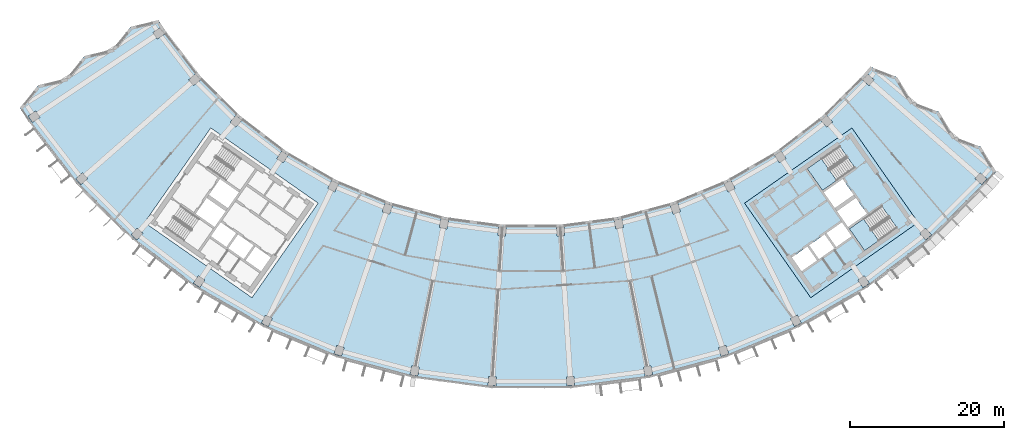
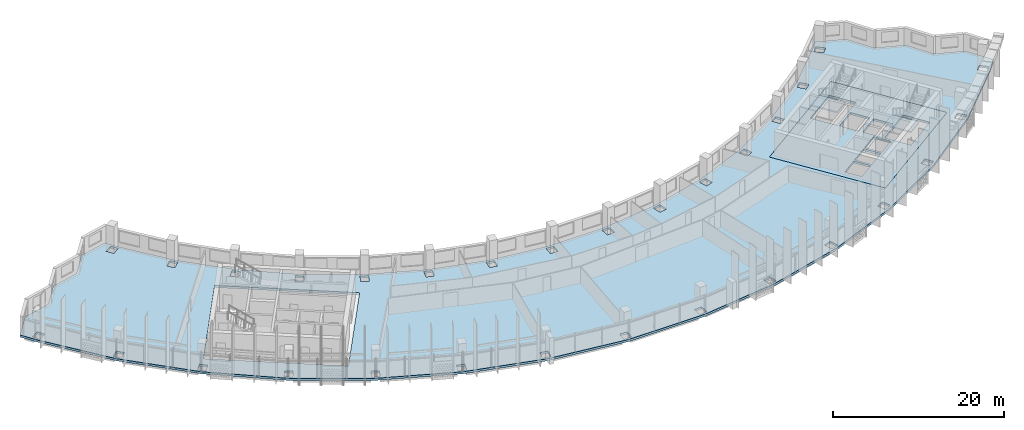
# One storey, part 2 of 27: 4 slabs, 2 elements without a shape of their own.
"""IFC4 building model written with IfcOpenShell, lengths in metres."""

import ifcopenshell
import ifcopenshell.guid

model = None  # the IFC model being written
_history = None  # IfcOwnerHistory: only IFC2X3 demands one
_inside = {}  # id of a spatial element -> (the spatial element, [elements in it])
_under = {}  # id of a project, library or spatial element -> (it, [spatial elements below it])
_declared = {}  # id of a project -> (the project, [libraries it declares])
_typed = {}  # id of a type object -> (the type object, [elements of that type])
_made_of = {}  # id of a material, layer set ... -> (it, [elements and type objects made of it])


def new_model(schema):
    """Start an empty IFC model of exactly this schema.

    Asked for "IFC4X3", IfcOpenShell would pick the latest addendum, in which some entities
    have other attributes; the version numbers below select the first issue.
    IFC2X3 requires an IfcOwnerHistory on every rooted entity: one is made here for all.
    """
    global model, _history
    if schema == "IFC4X3":
        model = ifcopenshell.file(schema_version=(4, 3, 0, 0))
    else:
        model = ifcopenshell.file(schema=schema)
    _inside.clear()
    _under.clear()
    _declared.clear()
    _typed.clear()
    _made_of.clear()
    _history = None
    if model.schema == "IFC2X3":
        org = make("IfcOrganization", Name="unknown")
        user = make(
            "IfcPersonAndOrganization",
            ThePerson=make("IfcPerson", FamilyName="unknown"),
            TheOrganization=org,
        )
        app = make(
            "IfcApplication",
            ApplicationDeveloper=org,
            Version="unknown",
            ApplicationFullName="unknown",
            ApplicationIdentifier="unknown",
        )
        _history = make(
            "IfcOwnerHistory",
            OwningUser=user,
            OwningApplication=app,
            ChangeAction="ADDED",
            CreationDate=0,
        )
    return model


def make(cls, **values):
    """One entity of the class cls with the attributes given. An attribute that is None is left unset."""
    return model.create_entity(
        cls, **{name: value for name, value in values.items() if value is not None}
    )


def rooted(cls, **values):
    """An entity with a GlobalId (a new one), such as an element, a storey or a relation."""
    return make(cls, GlobalId=ifcopenshell.guid.new(), OwnerHistory=_history, **values)


def si_unit(unit_type, name, prefix=None):
    """IfcSIUnit, for example si_unit("LENGTHUNIT", "METRE", prefix="MILLI")."""
    return make("IfcSIUnit", UnitType=unit_type, Prefix=prefix, Name=name)


def assignment(units):
    """IfcUnitAssignment: the units of a project."""
    return None if units is None else make("IfcUnitAssignment", Units=units)


def point(xyz):
    """IfcCartesianPoint."""
    return None if xyz is None else make("IfcCartesianPoint", Coordinates=xyz)


def direction(xyz):
    """IfcDirection."""
    return None if xyz is None else make("IfcDirection", DirectionRatios=xyz)


def frame(location, z_axis=None, x_axis=None):
    """IfcAxis2Placement3D, a coordinate frame: its origin and axes. An axis left out is left unset."""
    return make(
        "IfcAxis2Placement3D",
        Location=point(location),
        Axis=direction(z_axis),
        RefDirection=direction(x_axis),
    )


def origin():
    """The frame at (0, 0, 0) with its axes left unset."""
    return frame((0.0, 0.0, 0.0))


def place(relative_to, where):
    """IfcLocalPlacement: puts the frame where relative to a parent placement (None: the world)."""
    return make(
        "IfcLocalPlacement", PlacementRelTo=relative_to, RelativePlacement=where
    )


def context(
    kind, dimensions, precision=None, world=None, true_north=None, identifier=None
):
    """IfcGeometricRepresentationContext, for example the 3D "Model" context."""
    return make(
        "IfcGeometricRepresentationContext",
        ContextIdentifier=identifier,
        ContextType=kind,
        CoordinateSpaceDimension=dimensions,
        Precision=precision,
        WorldCoordinateSystem=world,
        TrueNorth=true_north,
    )


def subcontext(parent, identifier, kind, view, scale=None):
    """IfcGeometricRepresentationSubContext, for example "Body" below "Model"."""
    return make(
        "IfcGeometricRepresentationSubContext",
        ContextIdentifier=identifier,
        ContextType=kind,
        ParentContext=parent,
        TargetScale=scale,
        TargetView=view,
    )


def project(units=None, contexts=None):
    """IfcProject with its units and contexts."""
    return rooted(
        "IfcProject",
        Name="project",
        RepresentationContexts=contexts,
        UnitsInContext=assignment(units),
    )


def spatial(cls, under=None, at=None, **own):
    """A site, building, storey or space (cls), placed at a placement, below another one or the project."""
    s = rooted(cls, ObjectPlacement=at, **own)
    if under is not None:
        _under.setdefault(under.id(), (under, []))[1].append(s)
    return s


def polyline(points):
    """IfcPolyline through the points."""
    return make("IfcPolyline", Points=[point(p) for p in points])


def outline(outer, holes=None, kind="AREA"):
    """IfcArbitraryClosedProfileDef: a profile drawn as a closed curve; with holes, ...WithVoids."""
    if holes is None:
        return make("IfcArbitraryClosedProfileDef", ProfileType=kind, OuterCurve=outer)
    return make(
        "IfcArbitraryProfileDefWithVoids",
        ProfileType=kind,
        OuterCurve=outer,
        InnerCurves=holes,
    )


def extrude(swept, where, along, depth):
    """IfcExtrudedAreaSolid: the profile swept, set in the frame where, extruded along a direction by depth."""
    return make(
        "IfcExtrudedAreaSolid",
        SweptArea=swept,
        Position=where,
        ExtrudedDirection=direction(along),
        Depth=depth,
    )


def shape(context_of_items, identifier, shape_type, items):
    """IfcShapeRepresentation: the items that make up one representation, for example the "Body"."""
    return make(
        "IfcShapeRepresentation",
        ContextOfItems=context_of_items,
        RepresentationIdentifier=identifier,
        RepresentationType=shape_type,
        Items=items,
    )


def material(Name=None, Category=None):
    """IfcMaterial."""
    return make("IfcMaterial", Name=Name, Category=Category)


def layer(
    of_material, thickness, ventilated=None, Name=None, Category=None, Priority=None
):
    """IfcMaterialLayer: one layer of a wall or slab, of a material (None: an air gap)."""
    return make(
        "IfcMaterialLayer",
        Material=of_material,
        LayerThickness=thickness,
        IsVentilated=ventilated,
        Name=Name,
        Category=Category,
        Priority=Priority,
    )


def layer_set(layers, Name=None):
    """IfcMaterialLayerSet."""
    return make("IfcMaterialLayerSet", MaterialLayers=layers, LayerSetName=Name)


def made_of(thing, what):
    """Note that an element or type object is made of a material, layer set ...; save() writes the relation."""
    if what is not None:
        _made_of.setdefault(what.id(), (what, []))[1].append(thing)
    return thing


def type_object(cls, material=None, **own):
    """A type object (cls), such as IfcWallType, which elements share."""
    return made_of(rooted(cls, **own), material)


def element(
    cls,
    number,
    at=None,
    inside=None,
    cuts=None,
    type_object=None,
    material=None,
    context=None,
    identifier="Body",
    shape_type=None,
    held_by="IfcProductDefinitionShape",
    body=None,
    shapes=None,
    **own,
):
    """One element of the class cls, such as IfcWall. Its Tag is "e" and its number.

    at: its placement. inside: the storey or other place that contains it. cuts: it is an
    opening in that element (IfcRelVoidsElement). A single representation is given by context,
    identifier, shape_type and body (its items); several are given by shapes. held_by: the class
    of the entity that holds the representations. save() writes the other relations.
    """
    e = rooted(cls, Tag="e%d" % number, ObjectPlacement=at, **own)
    if body is not None:
        shapes = [shape(context, identifier, shape_type, body)]
    if shapes is not None:
        e.Representation = make(held_by, Representations=shapes)
    if inside is not None:
        _inside.setdefault(inside.id(), (inside, []))[1].append(e)
    if cuts is not None:
        rooted(
            "IfcRelVoidsElement", RelatingBuildingElement=cuts, RelatedOpeningElement=e
        )
    if type_object is not None:
        _typed.setdefault(type_object.id(), (type_object, []))[1].append(e)
    return made_of(e, material)


def aggregate(whole, parts):
    """IfcRelAggregates: a whole, such as a stair, and the parts it consists of."""
    return rooted("IfcRelAggregates", RelatingObject=whole, RelatedObjects=parts)


def save(model, path):
    """Write the relations noted so far, then the file.

    IfcRelAggregates (storeys below a building ...), IfcRelContainedInSpatialStructure (elements
    in a storey), IfcRelDefinesByType, IfcRelAssociatesMaterial and IfcRelDeclares: one each for
    every whole, place, type object, material and project.
    """
    for whole, parts in _under.values():
        aggregate(whole, parts)
    for where, things in _inside.values():
        rooted(
            "IfcRelContainedInSpatialStructure",
            RelatedElements=things,
            RelatingStructure=where,
        )
    for kind, things in _typed.values():
        rooted("IfcRelDefinesByType", RelatedObjects=things, RelatingType=kind)
    for what, things in _made_of.values():
        rooted("IfcRelAssociatesMaterial", RelatedObjects=things, RelatingMaterial=what)
    for by, libraries in _declared.values():
        rooted("IfcRelDeclares", RelatingContext=by, RelatedDefinitions=libraries)
    model.write(path)


model = new_model("IFC4")

# Units and contexts
model_context = context("Model", 3, precision=1e-05, world=origin(), true_north=direction((0.0, 1.0)))
body_context = subcontext(model_context, "Body", "Model", "MODEL_VIEW")
ifc_project = project(units=[si_unit("LENGTHUNIT", "METRE"), si_unit("AREAUNIT", "SQUARE_METRE"), si_unit("VOLUMEUNIT", "CUBIC_METRE"), si_unit("PLANEANGLEUNIT", "RADIAN"), si_unit("MASSUNIT", "GRAM", prefix="KILO")], contexts=[model_context])

# Site, building, storey
site_placement = place(None, origin())
site = spatial("IfcSite", under=ifc_project, at=site_placement, CompositionType="ELEMENT")
building_placement = place(site_placement, origin())
building = spatial("IfcBuilding", under=site, at=building_placement, Name="Qamariyya Broadcast Tower", CompositionType="ELEMENT")
storey_placement = place(building_placement, frame((0.0, 0.0, 211.300048828125)))
storey = spatial("IfcBuildingStorey", under=building, at=storey_placement, Name="L50", CompositionType="ELEMENT", Elevation=211.300048828125)

# Slabs
ifc_material_1 = material(Name="Concrete C40/50", Category="concrete")
ifc_layer_1 = layer(ifc_material_1, 0.300048828125)
ifc_layer_set_1 = layer_set([ifc_layer_1], Name="Core floor slab 300 mm Concrete C40/50")
slab_type_1 = type_object("IfcSlabType", Name="Core floor slab 300 mm Concrete C40/50", PredefinedType="FLOOR", material=ifc_layer_set_1)
slab_1_placement = place(storey_placement, frame((0.0, 0.0, -0.300048828125)))
element("IfcSlab", 1, at=slab_1_placement, inside=storey, type_object=slab_type_1, Name="k-E-L50-slab", PredefinedType="FLOOR", context=body_context, shape_type="SweptSolid", body=[
    extrude(outline(polyline([(36.32373046875, -66.734375), (50.286376953125, -56.95751953125), (41.6826171875, -44.67041015625), (27.719970703125, -54.447021484375), (36.32373046875, -66.734375)]), holes=[polyline([(33.87353515625, -61.49169921875), (35.88037109375, -60.08642578125), (37.142333984375, -61.888427734375), (35.13525390625, -63.293701171875), (33.87353515625, -61.49169921875)]), polyline([(36.126220703125, -59.914306640625), (38.133056640625, -58.509033203125), (39.394775390625, -60.311279296875), (37.387939453125, -61.716552734375), (36.126220703125, -59.914306640625)]), polyline([(38.378662109375, -58.3369140625), (40.3857421875, -56.931640625), (41.6474609375, -58.73388671875), (39.640625, -60.13916015625), (38.378662109375, -58.3369140625)]), polyline([(39.742431640625, -55.489990234375), (42.199951171875, -53.769287109375), (43.6337890625, -55.817138671875), (41.17626953125, -57.537841796875), (39.742431640625, -55.489990234375)]), polyline([(39.45556640625, -55.080322265625), (41.9130859375, -53.359619140625), (40.47900390625, -51.311767578125), (38.021728515625, -53.032470703125), (39.45556640625, -55.080322265625)]), polyline([(40.082275390625, -47.01171875), (35.870849609375, -49.960693359375), (37.849609375, -52.78662109375), (42.06103515625, -49.837890625), (40.082275390625, -47.01171875)]), polyline([(45.559814453125, -54.834716796875), (41.348388671875, -57.783447265625), (43.3271484375, -60.609619140625), (47.538818359375, -57.66064453125), (45.559814453125, -54.834716796875)])]), origin(), (0.0, 0.0, 1.0), 0.300048828125),
])
ifc_layer_2 = layer(ifc_material_1, 0.300048828125)
ifc_layer_set_2 = layer_set([ifc_layer_2], Name="Post-tensioned floor slab 300 C40/50")
slab_type_2 = type_object("IfcSlabType", Name="Post-tensioned floor slab 300 C40/50", PredefinedType="FLOOR", material=ifc_layer_set_2)
slab_2_placement = place(storey_placement, frame((0.0, 0.0, -0.300048828125)))
element("IfcSlab", 2, at=slab_2_placement, inside=storey, type_object=slab_type_2, Name="Floor slab S4 L50", PredefinedType="FLOOR", context=body_context, shape_type="SweptSolid", body=[
    extrude(outline(polyline([(-64.1142578125, -39.107421875), (-66.48193359375, -42.023681640625), (-65.39501953125, -43.695556640625), (-59.132080078125, -51.857666015625), (-51.857666015625, -59.132080078125), (-43.695556640625, -65.39501953125), (-34.785888671875, -70.5390625), (-25.28125, -74.47607421875), (-15.34375, -77.138671875), (-5.14404296875, -78.481689453125), (5.14404296875, -78.481689453125), (15.34375, -77.138671875), (25.28125, -74.47607421875), (34.785888671875, -70.5390625), (43.695556640625, -65.39501953125), (51.857666015625, -59.132080078125), (59.132080078125, -51.857666015625), (60.427978515625, -50.341796875), (58.461181640625, -47.141357421875), (54.972900390625, -45.797119140625), (53.00537109375, -42.59619140625), (49.517822265625, -41.252685546875), (47.54931640625, -38.051025390625), (44.062744140625, -36.708251953125), (43.117919921875, -37.8134765625), (37.8134765625, -43.117919921875), (31.862060546875, -47.684814453125), (25.365234375, -51.435546875), (18.4345703125, -54.306396484375), (11.1884765625, -56.248046875), (3.7509765625, -57.227294921875), (-3.7509765625, -57.227294921875), (-11.1884765625, -56.248046875), (-18.4345703125, -54.306396484375), (-25.365234375, -51.435546875), (-31.862060546875, -47.684814453125), (-37.8134765625, -43.117919921875), (-43.117919921875, -37.8134765625), (-47.684814453125, -31.862060546875), (-48.477294921875, -30.642822265625), (-52.109130859375, -31.51904296875), (-54.478759765625, -34.436279296875), (-58.11181640625, -35.313232421875), (-60.480224609375, -38.22998046875), (-64.1142578125, -39.107421875)]), holes=[polyline([(-5.62158203125, -78.12451171875), (-5.54638671875, -76.97705078125), (-4.548583984375, -77.04248046875), (-4.623779296875, -78.18994140625), (-5.62158203125, -78.12451171875)]), polyline([(-15.770751953125, -76.722412109375), (-15.54638671875, -75.594482421875), (-14.565673828125, -75.78955078125), (-14.7900390625, -76.91748046875), (-15.770751953125, -76.722412109375)]), polyline([(-25.650146484375, -74.007568359375), (-25.280517578125, -72.918701171875), (-24.333740234375, -73.239990234375), (-24.703369140625, -74.3291015625), (-25.650146484375, -74.007568359375)]), polyline([(-35.090576171875, -70.0263671875), (-34.58203125, -68.9951171875), (-33.685302734375, -69.437255859375), (-34.19384765625, -70.46875), (-35.090576171875, -70.0263671875)]), polyline([(-43.9306640625, -64.84716796875), (-43.291748046875, -63.890869140625), (-42.46044921875, -64.446533203125), (-43.099365234375, -65.402587890625), (-43.9306640625, -64.84716796875)]), polyline([(-52.019287109375, -58.55810546875), (-51.260986328125, -57.693603515625), (-50.509033203125, -58.35302734375), (-51.267333984375, -59.217529296875), (-52.019287109375, -58.55810546875)]), polyline([(-11.966552734375, -57.59716796875), (-11.7421875, -56.46923828125), (-10.761474609375, -56.664306640625), (-10.98583984375, -57.792236328125), (-11.966552734375, -57.59716796875)]), polyline([(-50.286376953125, -56.95751953125), (-41.6826171875, -44.67041015625), (-27.719970703125, -54.447021484375), (-36.32373046875, -66.734375), (-50.286376953125, -56.95751953125)]), polyline([(-19.382080078125, -55.54248046875), (-19.012451171875, -54.453369140625), (-18.065673828125, -54.77490234375), (-18.435302734375, -55.86376953125), (-19.382080078125, -55.54248046875)]), polyline([(-26.466064453125, -52.537353515625), (-25.95751953125, -51.506103515625), (-25.060546875, -51.9482421875), (-25.569091796875, -52.979736328125), (-26.466064453125, -52.537353515625)]), polyline([(-59.217529296875, -51.267333984375), (-58.35302734375, -50.509033203125), (-57.693603515625, -51.260986328125), (-58.55810546875, -52.019287109375), (-59.217529296875, -51.267333984375)]), polyline([(-33.09716796875, -48.63330078125), (-32.458251953125, -47.67724609375), (-31.626708984375, -48.23291015625), (-32.265625, -49.18896484375), (-33.09716796875, -48.63330078125)]), polyline([(-39.161865234375, -43.897216796875), (-38.40380859375, -43.03271484375), (-37.65185546875, -43.692138671875), (-38.41015625, -44.556640625), (-39.161865234375, -43.897216796875)]), polyline([(-65.402587890625, -43.099365234375), (-64.446533203125, -42.46044921875), (-63.890869140625, -43.291748046875), (-64.84716796875, -43.9306640625), (-65.402587890625, -43.099365234375)]), polyline([(-44.556640625, -38.41015625), (-43.692138671875, -37.65185546875), (-43.03271484375, -38.40380859375), (-43.897216796875, -39.161865234375), (-44.556640625, -38.41015625)]), polyline([(-49.18896484375, -32.265625), (-48.23291015625, -31.626708984375), (-47.67724609375, -32.458251953125), (-48.63330078125, -33.09716796875), (-49.18896484375, -32.265625)]), polyline([(4.623779296875, -78.18994140625), (4.548583984375, -77.04248046875), (5.54638671875, -76.97705078125), (5.62158203125, -78.12451171875), (4.623779296875, -78.18994140625)]), polyline([(14.7900390625, -76.91748046875), (14.565673828125, -75.78955078125), (15.54638671875, -75.594482421875), (15.770751953125, -76.722412109375), (14.7900390625, -76.91748046875)]), polyline([(24.703369140625, -74.3291015625), (24.333740234375, -73.239990234375), (25.280517578125, -72.918701171875), (25.650146484375, -74.007568359375), (24.703369140625, -74.3291015625)]), polyline([(34.19384765625, -70.46875), (33.685302734375, -69.437255859375), (34.58203125, -68.9951171875), (35.090576171875, -70.0263671875), (34.19384765625, -70.46875)]), polyline([(43.099365234375, -65.402587890625), (42.46044921875, -64.446533203125), (43.291748046875, -63.890869140625), (43.9306640625, -64.84716796875), (43.099365234375, -65.402587890625)]), polyline([(51.267333984375, -59.217529296875), (50.509033203125, -58.35302734375), (51.260986328125, -57.693603515625), (52.019287109375, -58.55810546875), (51.267333984375, -59.217529296875)]), polyline([(-4.34619140625, -58.666259765625), (-4.27099609375, -57.518798828125), (-3.273193359375, -57.584228515625), (-3.348388671875, -58.731689453125), (-4.34619140625, -58.666259765625)]), polyline([(3.348388671875, -58.731689453125), (3.273193359375, -57.584228515625), (4.27099609375, -57.518798828125), (4.34619140625, -58.666259765625), (3.348388671875, -58.731689453125)]), polyline([(10.98583984375, -57.792236328125), (10.761474609375, -56.664306640625), (11.7421875, -56.46923828125), (11.966552734375, -57.59716796875), (10.98583984375, -57.792236328125)]), polyline([(36.32373046875, -66.734375), (27.719970703125, -54.447021484375), (41.6826171875, -44.67041015625), (50.286376953125, -56.95751953125), (36.32373046875, -66.734375)]), polyline([(18.435302734375, -55.86376953125), (18.065673828125, -54.77490234375), (19.012451171875, -54.453369140625), (19.382080078125, -55.54248046875), (18.435302734375, -55.86376953125)]), polyline([(25.569091796875, -52.979736328125), (25.060546875, -51.9482421875), (25.95751953125, -51.506103515625), (26.466064453125, -52.537353515625), (25.569091796875, -52.979736328125)]), polyline([(58.55810546875, -52.019287109375), (57.693603515625, -51.260986328125), (58.35302734375, -50.509033203125), (59.217529296875, -51.267333984375), (58.55810546875, -52.019287109375)]), polyline([(32.265625, -49.18896484375), (31.626708984375, -48.23291015625), (32.458251953125, -47.67724609375), (33.09716796875, -48.63330078125), (32.265625, -49.18896484375)]), polyline([(38.41015625, -44.556640625), (37.65185546875, -43.692138671875), (38.40380859375, -43.03271484375), (39.161865234375, -43.897216796875), (38.41015625, -44.556640625)]), polyline([(43.897216796875, -39.161865234375), (43.03271484375, -38.40380859375), (43.692138671875, -37.65185546875), (44.556640625, -38.41015625), (43.897216796875, -39.161865234375)])]), origin(), (0.0, 0.0, 1.0), 0.300048828125),
])

# Stair, slab
ifc_material_2 = material(Name="Concrete C50/60", Category="concrete")
stair_type = type_object("IfcStairType", Name="Exit stair 22 risers of 173 mm", PredefinedType="HALF_TURN_STAIR", material=ifc_material_2)
stair_1_placement = place(storey_placement, origin())
stair_1 = element("IfcStair", 3, at=stair_1_placement, inside=storey, type_object=stair_type, Name="L50 Stair E2", PredefinedType="HALF_TURN_STAIR")
ifc_layer_3 = layer(ifc_material_2, 0.199951171875)
ifc_layer_set_3 = layer_set([ifc_layer_3], Name="Stair landing")
slab_type_3 = type_object("IfcSlabType", Name="Stair landing", PredefinedType="LANDING", material=ifc_layer_set_3)
slab_3_placement = place(storey_placement, frame((0.0, 0.0, 1.699951171875)))
slab_3 = element("IfcSlab", 4, at=slab_3_placement, type_object=slab_type_3, Name="ST-E2 landing 1", PredefinedType="LANDING", context=body_context, shape_type="SweptSolid", body=[
    extrude(outline(polyline([(37.71337890625, -48.67041015625), (35.870849609375, -49.960693359375), (37.849609375, -52.78662109375), (39.692138671875, -51.49658203125), (37.71337890625, -48.67041015625)])), origin(), (0.0, 0.0, 1.0), 0.199951171875),
])
aggregate(stair_1, [slab_3])

stair_2_placement = place(storey_placement, origin())
stair_2 = element("IfcStair", 5, at=stair_2_placement, inside=storey, type_object=stair_type, Name="L50 Stair E1", PredefinedType="HALF_TURN_STAIR")
slab_4_placement = place(storey_placement, frame((0.0, 0.0, 1.699951171875)))
slab_4 = element("IfcSlab", 6, at=slab_4_placement, type_object=slab_type_3, Name="ST-E1 landing 1", PredefinedType="LANDING", context=body_context, shape_type="SweptSolid", body=[
    extrude(outline(polyline([(43.19091796875, -56.493408203125), (41.348388671875, -57.783447265625), (43.3271484375, -60.609619140625), (45.169677734375, -59.319580078125), (43.19091796875, -56.493408203125)])), origin(), (0.0, 0.0, 1.0), 0.199951171875),
])
aggregate(stair_2, [slab_4])

save(model, "model.ifc")
